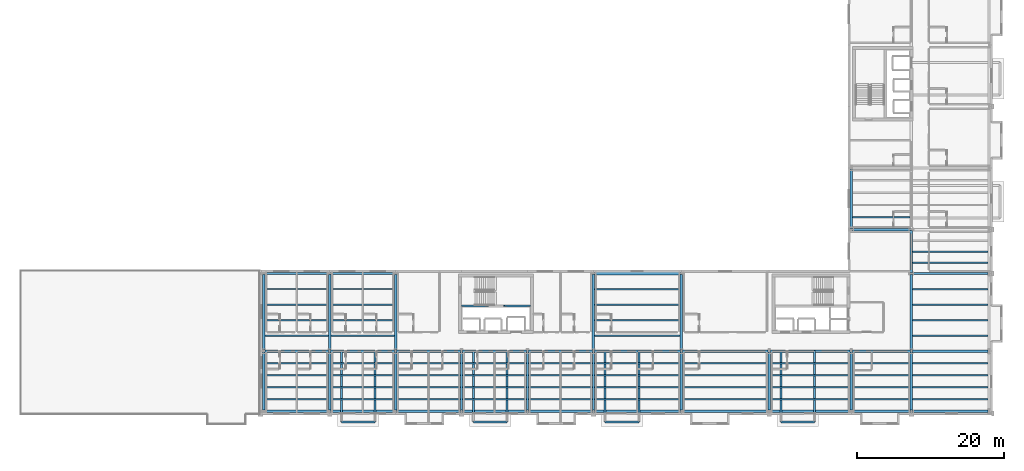
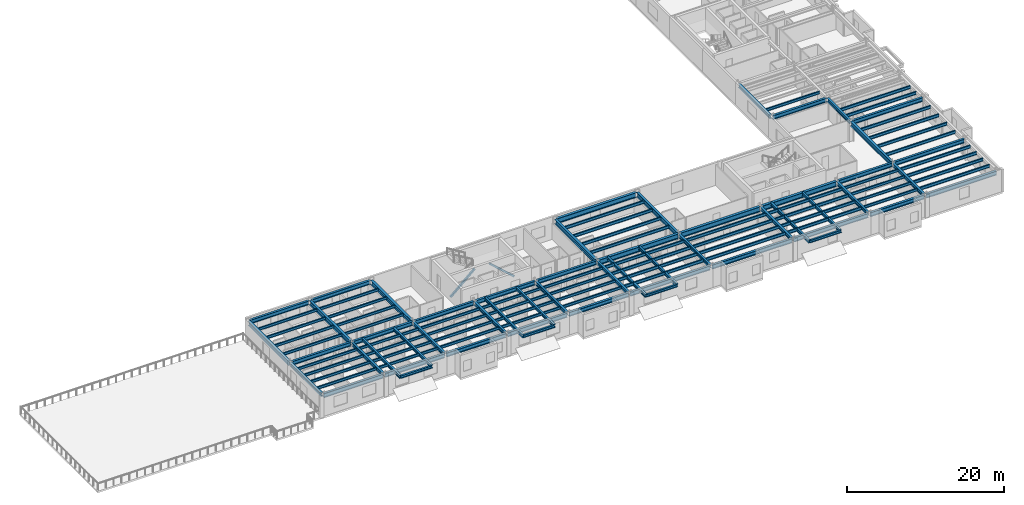
# One storey, part 6 of 23: 114 beams, 2 members.
"""IFC4 building model written with IfcOpenShell, lengths in metres."""

from ifc_helpers import new_model, si_unit, direction, frame, origin, origin_2d, place, context, subcontext, project, spatial, hollow_rectangle, i_section, extrude, material, material_profile, profile_set, type_object, element, save


model = new_model("IFC4")

# Units and contexts
model_context = context("Model", 3, precision=1e-05, world=origin(), true_north=direction((0.0, 1.0)))
body_context = subcontext(model_context, "Body", "Model", "MODEL_VIEW")
ifc_project = project(units=[si_unit("LENGTHUNIT", "METRE"), si_unit("AREAUNIT", "SQUARE_METRE"), si_unit("VOLUMEUNIT", "CUBIC_METRE"), si_unit("PLANEANGLEUNIT", "RADIAN"), si_unit("MASSUNIT", "GRAM", prefix="KILO")], contexts=[model_context])

# Site, building, storey
site_placement = place(None, origin())
site = spatial("IfcSite", under=ifc_project, at=site_placement, CompositionType="ELEMENT")
building_placement = place(site_placement, origin())
building = spatial("IfcBuilding", under=site, at=building_placement, Name="Sollismere Congress Hotel", CompositionType="ELEMENT")
storey_placement = place(building_placement, frame((0.0, 0.0, 30.60009765625)))
storey = spatial("IfcBuildingStorey", under=building, at=storey_placement, Name="L07", CompositionType="ELEMENT", Elevation=30.60009765625)

# Beams
ifc_material_1 = material(Name="Steel ASTM A992 Grade 50", Category="steel")
ifc_material_profile_1 = material_profile(ifc_material_1, i_section(OverallWidth=0.281982421875, OverallDepth=0.471923828125, WebThickness=0.013671875, FlangeThickness=0.022216796875, at=origin_2d()), Name="W18X97")
ifc_profile_set_1 = profile_set([ifc_material_profile_1], Name="Steel ASTM A992 Grade 50")
beam_type_1 = type_object("IfcBeamType", Name="BM-CK18E", PredefinedType="BEAM", material=ifc_profile_set_1)
for number, where, z_axis, x_axis, name in (
    (1, (77.60009765625, 8.199951171875, 2.989013671875), (0.0, -1.0, 0.0), (1.0, 0.0, 0.0), "Beam BM-L07-3995"),
    (2, (82.199951171875, 8.199951171875, 2.989013671875), (0.0, -1.0, 0.0), (1.0, 0.0, 0.0), "Beam BM-L07-3996"),
    (3, (95.60009765625, 8.199951171875, 2.989013671875), (0.0, -1.0, 0.0), (1.0, 0.0, 0.0), "Beam BM-L07-3998"),
    (4, (100.199951171875, 8.199951171875, 2.989013671875), (0.0, -1.0, 0.0), (1.0, 0.0, 0.0), "Beam BM-L07-3999"),
    (5, (113.60009765625, 8.199951171875, 2.989013671875), (0.0, -1.0, 0.0), (1.0, 0.0, 0.0), "Beam BM-L07-4001"),
    (6, (118.199951171875, 8.199951171875, 2.989013671875), (0.0, -1.0, 0.0), (1.0, 0.0, 0.0), "Beam BM-L07-4002"),
    (7, (137.60009765625, 8.199951171875, 2.989013671875), (0.0, -1.0, 0.0), (1.0, 0.0, 0.0), "Beam BM-L07-4004"),
    (8, (142.199951171875, 8.199951171875, 2.989013671875), (0.0, -1.0, 0.0), (1.0, 0.0, 0.0), "Beam BM-L07-4005"),
):
    element("IfcBeam", number, at=place(storey_placement, frame(where, z_axis=z_axis, x_axis=x_axis)), inside=storey, type_object=beam_type_1, Name=name, PredefinedType="BEAM", context=body_context, shape_type="SweptSolid", body=[
        extrude(i_section(OverallWidth=0.281982421875, OverallDepth=0.471923828125, WebThickness=0.013671875, FlangeThickness=0.022216796875, at=origin_2d()), origin(), (0.0, 0.0, 1.0), 9.68994140625),
    ])
ifc_material_profile_2 = material_profile(ifc_material_1, i_section(OverallWidth=0.31494140625, OverallDepth=0.551025390625, WebThickness=0.01513671875, FlangeThickness=0.0244140625, at=origin_2d()), Name="W21X122")
ifc_profile_set_2 = profile_set([ifc_material_profile_2], Name="Steel ASTM A992 Grade 50")
beam_type_2 = type_object("IfcBeamType", Name="BM-G21H", PredefinedType="BEAM", material=ifc_profile_set_2)
for number, where, z_axis, x_axis, name in (
    (9, (67.0, 0.139892578125, 2.949462890625), (0.0, 1.0, 0.0), (-1.0, 0.0, 0.0), "Beam BM-L07-3305"),
    (10, (76.0, 0.139892578125, 2.949462890625), (0.0, 1.0, 0.0), (-1.0, 0.0, 0.0), "Beam BM-L07-3307"),
    (11, (85.0, 0.139892578125, 2.949462890625), (0.0, 1.0, 0.0), (-1.0, 0.0, 0.0), "Beam BM-L07-3309"),
    (12, (94.0, 0.139892578125, 2.949462890625), (0.0, 1.0, 0.0), (-1.0, 0.0, 0.0), "Beam BM-L07-3311"),
    (13, (103.0, 0.139892578125, 2.949462890625), (0.0, 1.0, 0.0), (-1.0, 0.0, 0.0), "Beam BM-L07-3312"),
    (14, (112.0, 0.139892578125, 2.949462890625), (0.0, 1.0, 0.0), (-1.0, 0.0, 0.0), "Beam BM-L07-3313"),
    (15, (124.0, 0.139892578125, 2.949462890625), (0.0, 1.0, 0.0), (-1.0, 0.0, 0.0), "Beam BM-L07-3315"),
    (16, (136.0, 0.139892578125, 2.949462890625), (0.0, 1.0, 0.0), (-1.0, 0.0, 0.0), "Beam BM-L07-3317"),
    (17, (147.199951171875, 0.139892578125, 2.949462890625), (0.0, 1.0, 0.0), (-1.0, 0.0, 0.0), "Beam BM-L07-3318"),
):
    element("IfcBeam", number, at=place(storey_placement, frame(where, z_axis=z_axis, x_axis=x_axis)), inside=storey, type_object=beam_type_2, Name=name, PredefinedType="BEAM", context=body_context, shape_type="SweptSolid", body=[
        extrude(i_section(OverallWidth=0.31494140625, OverallDepth=0.551025390625, WebThickness=0.01513671875, FlangeThickness=0.0244140625, at=origin_2d()), origin(), (0.0, 0.0, 1.0), 7.920166015625),
    ])
beam_1_placement = place(storey_placement, frame((147.199951171875, 24.93994140625, 2.949462890625), z_axis=(0.0, 1.0, 0.0), x_axis=(-1.0, 0.0, 0.0)))
element("IfcBeam", 18, at=beam_1_placement, inside=storey, type_object=beam_type_2, Name="Beam BM-L07-3319", PredefinedType="BEAM", context=body_context, shape_type="SweptSolid", body=[
    extrude(i_section(OverallWidth=0.31494140625, OverallDepth=0.551025390625, WebThickness=0.01513671875, FlangeThickness=0.0244140625, at=origin_2d()), origin(), (0.0, 0.0, 1.0), 8.1201171875),
])
beam_2_placement = place(storey_placement, frame((155.39990234375, 0.139892578125, 2.949462890625), z_axis=(0.0, 1.0, 0.0), x_axis=(-1.0, 0.0, 0.0)))
element("IfcBeam", 19, at=beam_2_placement, inside=storey, type_object=beam_type_2, Name="Beam BM-L07-3321", PredefinedType="BEAM", context=body_context, shape_type="SweptSolid", body=[
    extrude(i_section(OverallWidth=0.31494140625, OverallDepth=0.551025390625, WebThickness=0.01513671875, FlangeThickness=0.0244140625, at=origin_2d()), origin(), (0.0, 0.0, 1.0), 7.920166015625),
])
beam_3_placement = place(storey_placement, frame((155.39990234375, 18.93994140625, 2.949462890625), z_axis=(0.0, 1.0, 0.0), x_axis=(-1.0, 0.0, 0.0)))
element("IfcBeam", 20, at=beam_3_placement, inside=storey, type_object=beam_type_2, Name="Beam BM-L07-3323", PredefinedType="BEAM", context=body_context, shape_type="SweptSolid", body=[
    extrude(i_section(OverallWidth=0.31494140625, OverallDepth=0.551025390625, WebThickness=0.01513671875, FlangeThickness=0.0244140625, at=origin_2d()), origin(), (0.0, 0.0, 1.0), 5.719970703125),
])
ifc_material_profile_3 = material_profile(ifc_material_1, i_section(OverallWidth=0.324951171875, OverallDepth=0.612060546875, WebThickness=0.0126953125, FlangeThickness=0.01904296875, at=origin_2d()), Name="W24X104")
ifc_profile_set_3 = profile_set([ifc_material_profile_3], Name="Steel ASTM A992 Grade 50")
beam_type_3 = type_object("IfcBeamType", Name="BM-G24", PredefinedType="BEAM", material=ifc_profile_set_3)
for number, where, z_axis, x_axis, name in (
    (21, (67.139892578125, 8.199951171875, 2.9189453125), (1.0, 0.0, 0.0), (0.0, 1.0, 0.0), "Beam BM-L07-3283"),
    (22, (76.139892578125, 8.199951171875, 2.9189453125), (1.0, 0.0, 0.0), (0.0, 1.0, 0.0), "Beam BM-L07-3284"),
    (23, (85.139892578125, 8.199951171875, 2.9189453125), (1.0, 0.0, 0.0), (0.0, 1.0, 0.0), "Beam BM-L07-3285"),
    (24, (94.139892578125, 8.199951171875, 2.9189453125), (1.0, 0.0, 0.0), (0.0, 1.0, 0.0), "Beam BM-L07-3286"),
    (25, (103.139892578125, 8.199951171875, 2.9189453125), (1.0, 0.0, 0.0), (0.0, 1.0, 0.0), "Beam BM-L07-3287"),
):
    element("IfcBeam", number, at=place(storey_placement, frame(where, z_axis=z_axis, x_axis=x_axis)), inside=storey, type_object=beam_type_3, Name=name, PredefinedType="BEAM", context=body_context, shape_type="SweptSolid", body=[
        extrude(i_section(OverallWidth=0.324951171875, OverallDepth=0.612060546875, WebThickness=0.0126953125, FlangeThickness=0.01904296875, at=origin_2d()), origin(), (0.0, 0.0, 1.0), 8.72021484375),
    ])
beam_4_placement = place(storey_placement, frame((147.340087890625, 8.199951171875, 2.9189453125), z_axis=(1.0, 0.0, 0.0), x_axis=(0.0, 1.0, 0.0)))
element("IfcBeam", 26, at=beam_4_placement, inside=storey, type_object=beam_type_3, Name="Beam BM-L07-3291", PredefinedType="BEAM", context=body_context, shape_type="SweptSolid", body=[
    extrude(i_section(OverallWidth=0.324951171875, OverallDepth=0.612060546875, WebThickness=0.0126953125, FlangeThickness=0.01904296875, at=origin_2d()), origin(), (0.0, 0.0, 1.0), 7.919921875),
])
beam_5_placement = place(storey_placement, frame((155.5400390625, 8.199951171875, 2.9189453125), z_axis=(1.0, 0.0, 0.0), x_axis=(0.0, 1.0, 0.0)))
element("IfcBeam", 27, at=beam_5_placement, inside=storey, type_object=beam_type_3, Name="Beam BM-L07-3292", PredefinedType="BEAM", context=body_context, shape_type="SweptSolid", body=[
    extrude(i_section(OverallWidth=0.324951171875, OverallDepth=0.612060546875, WebThickness=0.0126953125, FlangeThickness=0.01904296875, at=origin_2d()), origin(), (0.0, 0.0, 1.0), 10.320068359375),
])
for number, where, z_axis, x_axis, name in (
    (28, (67.139892578125, 18.800048828125, 2.9189453125), (1.0, 0.0, 0.0), (0.0, 1.0, 0.0), "Beam BM-L07-3293"),
    (29, (76.139892578125, 18.800048828125, 2.9189453125), (1.0, 0.0, 0.0), (0.0, 1.0, 0.0), "Beam BM-L07-3294"),
):
    element("IfcBeam", number, at=place(storey_placement, frame(where, z_axis=z_axis, x_axis=x_axis)), inside=storey, type_object=beam_type_3, Name=name, PredefinedType="BEAM", context=body_context, shape_type="SweptSolid", body=[
        extrude(i_section(OverallWidth=0.324951171875, OverallDepth=0.612060546875, WebThickness=0.0126953125, FlangeThickness=0.01904296875, at=origin_2d()), origin(), (0.0, 0.0, 1.0), 8.72021484375),
    ])
beam_6_placement = place(storey_placement, frame((155.5400390625, 18.800048828125, 2.9189453125), z_axis=(1.0, 0.0, 0.0), x_axis=(0.0, 1.0, 0.0)))
element("IfcBeam", 30, at=beam_6_placement, inside=storey, type_object=beam_type_3, Name="Beam BM-L07-3296", PredefinedType="BEAM", context=body_context, shape_type="SweptSolid", body=[
    extrude(i_section(OverallWidth=0.324951171875, OverallDepth=0.612060546875, WebThickness=0.0126953125, FlangeThickness=0.01904296875, at=origin_2d()), origin(), (0.0, 0.0, 1.0), 10.320068359375),
])
beam_7_placement = place(storey_placement, frame((147.340087890625, 24.800048828125, 2.9189453125), z_axis=(1.0, 0.0, 0.0), x_axis=(0.0, 1.0, 0.0)))
element("IfcBeam", 31, at=beam_7_placement, inside=storey, type_object=beam_type_3, Name="Beam BM-L07-3297", PredefinedType="BEAM", context=body_context, shape_type="SweptSolid", body=[
    extrude(i_section(OverallWidth=0.324951171875, OverallDepth=0.612060546875, WebThickness=0.0126953125, FlangeThickness=0.01904296875, at=origin_2d()), origin(), (0.0, 0.0, 1.0), 7.919921875),
])
ifc_material_profile_4 = material_profile(ifc_material_1, i_section(OverallWidth=0.35595703125, OverallDepth=0.696044921875, WebThickness=0.015380859375, FlangeThickness=0.025146484375, at=origin_2d()), Name="W27X146")
ifc_profile_set_4 = profile_set([ifc_material_profile_4], Name="Steel ASTM A992 Grade 50")
beam_type_4 = type_object("IfcBeamType", Name="BM-G27", PredefinedType="BEAM", material=ifc_profile_set_4)
for number, where, z_axis, x_axis, name in (
    (32, (67.0, 8.340087890625, 2.876953125), (0.0, 1.0, 0.0), (-1.0, 0.0, 0.0), "Beam BM-L07-3306"),
    (33, (76.0, 8.340087890625, 2.876953125), (0.0, 1.0, 0.0), (-1.0, 0.0, 0.0), "Beam BM-L07-3308"),
    (34, (85.0, 8.340087890625, 2.876953125), (0.0, 1.0, 0.0), (-1.0, 0.0, 0.0), "Beam BM-L07-3310"),
    (35, (112.0, 8.340087890625, 2.876953125), (0.0, 1.0, 0.0), (-1.0, 0.0, 0.0), "Beam BM-L07-3314"),
    (36, (124.0, 8.340087890625, 2.876953125), (0.0, 1.0, 0.0), (-1.0, 0.0, 0.0), "Beam BM-L07-3316"),
    (37, (155.39990234375, 8.340087890625, 2.876953125), (0.0, 1.0, 0.0), (-1.0, 0.0, 0.0), "Beam BM-L07-3322"),
):
    element("IfcBeam", number, at=place(storey_placement, frame(where, z_axis=z_axis, x_axis=x_axis)), inside=storey, type_object=beam_type_4, Name=name, PredefinedType="BEAM", context=body_context, shape_type="SweptSolid", body=[
        extrude(i_section(OverallWidth=0.35595703125, OverallDepth=0.696044921875, WebThickness=0.015380859375, FlangeThickness=0.025146484375, at=origin_2d()), origin(), (0.0, 0.0, 1.0), 10.31982421875),
    ])
ifc_material_profile_5 = material_profile(ifc_material_1, i_section(OverallWidth=0.384033203125, OverallDepth=0.787109375, WebThickness=0.019775390625, FlangeThickness=0.033447265625, at=origin_2d()), Name="W30X211")
ifc_profile_set_5 = profile_set([ifc_material_profile_5], Name="Steel ASTM A992 Grade 50")
beam_type_5 = type_object("IfcBeamType", Name="BM-G30", PredefinedType="BEAM", material=ifc_profile_set_5)
for number, where, z_axis, x_axis, name in (
    (38, (112.139892578125, 8.199951171875, 2.831298828125), (1.0, 0.0, 0.0), (0.0, 1.0, 0.0), "Beam BM-L07-3288"),
    (39, (124.139892578125, 8.199951171875, 2.831298828125), (1.0, 0.0, 0.0), (0.0, 1.0, 0.0), "Beam BM-L07-3289"),
):
    element("IfcBeam", number, at=place(storey_placement, frame(where, z_axis=z_axis, x_axis=x_axis)), inside=storey, type_object=beam_type_5, Name=name, PredefinedType="BEAM", context=body_context, shape_type="SweptSolid", body=[
        extrude(i_section(OverallWidth=0.384033203125, OverallDepth=0.787109375, WebThickness=0.019775390625, FlangeThickness=0.033447265625, at=origin_2d()), origin(), (0.0, 0.0, 1.0), 11.72021484375),
    ])
beam_8_placement = place(storey_placement, frame((136.139892578125, 8.199951171875, 2.831298828125), z_axis=(1.0, 0.0, 0.0), x_axis=(0.0, 1.0, 0.0)))
element("IfcBeam", 40, at=beam_8_placement, inside=storey, type_object=beam_type_5, Name="Beam BM-L07-3290", PredefinedType="BEAM", context=body_context, shape_type="SweptSolid", body=[
    extrude(i_section(OverallWidth=0.384033203125, OverallDepth=0.787109375, WebThickness=0.019775390625, FlangeThickness=0.033447265625, at=origin_2d()), origin(), (0.0, 0.0, 1.0), 10.920166015625),
])
beam_9_placement = place(storey_placement, frame((112.139892578125, 18.800048828125, 2.831298828125), z_axis=(1.0, 0.0, 0.0), x_axis=(0.0, 1.0, 0.0)))
element("IfcBeam", 41, at=beam_9_placement, inside=storey, type_object=beam_type_5, Name="Beam BM-L07-3295", PredefinedType="BEAM", context=body_context, shape_type="SweptSolid", body=[
    extrude(i_section(OverallWidth=0.384033203125, OverallDepth=0.787109375, WebThickness=0.019775390625, FlangeThickness=0.033447265625, at=origin_2d()), origin(), (0.0, 0.0, 1.0), 11.72021484375),
])
ifc_material_profile_6 = material_profile(ifc_material_1, i_section(OverallWidth=0.180908203125, OverallDepth=0.4169921875, WebThickness=0.010986328125, FlangeThickness=0.018310546875, at=origin_2d()), Name="W16X57")
ifc_profile_set_6 = profile_set([ifc_material_profile_6], Name="Steel ASTM A992 Grade 50")
beam_type_6 = type_object("IfcBeamType", Name="BM-J16", PredefinedType="JOIST", material=ifc_profile_set_6)
for number, where, z_axis, x_axis, name in (
    (42, (67.157470703125, 1.639892578125, 3.016357421875), (1.0, 0.0, 0.0), (0.0, 1.0, 0.0), "Beam BM-L07-3334"),
    (43, (67.157470703125, 3.280029296875, 3.016357421875), (1.0, 0.0, 0.0), (0.0, 1.0, 0.0), "Beam BM-L07-3335"),
    (44, (67.157470703125, 4.919921875, 3.016357421875), (1.0, 0.0, 0.0), (0.0, 1.0, 0.0), "Beam BM-L07-3336"),
    (45, (67.157470703125, 6.56005859375, 3.016357421875), (1.0, 0.0, 0.0), (0.0, 1.0, 0.0), "Beam BM-L07-3337"),
):
    element("IfcBeam", number, at=place(storey_placement, frame(where, z_axis=z_axis, x_axis=x_axis)), inside=storey, type_object=beam_type_6, Name=name, PredefinedType="JOIST", context=body_context, shape_type="SweptSolid", body=[
        extrude(i_section(OverallWidth=0.180908203125, OverallDepth=0.4169921875, WebThickness=0.010986328125, FlangeThickness=0.018310546875, at=origin_2d()), origin(), (0.0, 0.0, 1.0), 8.68505859375),
    ])
for number, where, z_axis, x_axis, name in (
    (46, (67.177978515625, 10.320068359375, 3.016357421875), (1.0, 0.0, 0.0), (0.0, 1.0, 0.0), "Beam BM-L07-3338"),
    (47, (67.177978515625, 12.43994140625, 3.016357421875), (1.0, 0.0, 0.0), (0.0, 1.0, 0.0), "Beam BM-L07-3339"),
    (48, (67.177978515625, 14.56005859375, 3.016357421875), (1.0, 0.0, 0.0), (0.0, 1.0, 0.0), "Beam BM-L07-3340"),
    (49, (67.177978515625, 16.679931640625, 3.016357421875), (1.0, 0.0, 0.0), (0.0, 1.0, 0.0), "Beam BM-L07-3341"),
):
    element("IfcBeam", number, at=place(storey_placement, frame(where, z_axis=z_axis, x_axis=x_axis)), inside=storey, type_object=beam_type_6, Name=name, PredefinedType="JOIST", context=body_context, shape_type="SweptSolid", body=[
        extrude(i_section(OverallWidth=0.180908203125, OverallDepth=0.4169921875, WebThickness=0.010986328125, FlangeThickness=0.018310546875, at=origin_2d()), origin(), (0.0, 0.0, 1.0), 8.64404296875),
    ])
for number, where, z_axis, x_axis, name in (
    (50, (76.157470703125, 1.639892578125, 3.016357421875), (1.0, 0.0, 0.0), (0.0, 1.0, 0.0), "Beam BM-L07-3342"),
    (51, (76.157470703125, 3.280029296875, 3.016357421875), (1.0, 0.0, 0.0), (0.0, 1.0, 0.0), "Beam BM-L07-3343"),
    (52, (76.157470703125, 4.919921875, 3.016357421875), (1.0, 0.0, 0.0), (0.0, 1.0, 0.0), "Beam BM-L07-3344"),
    (53, (76.157470703125, 6.56005859375, 3.016357421875), (1.0, 0.0, 0.0), (0.0, 1.0, 0.0), "Beam BM-L07-3345"),
):
    element("IfcBeam", number, at=place(storey_placement, frame(where, z_axis=z_axis, x_axis=x_axis)), inside=storey, type_object=beam_type_6, Name=name, PredefinedType="JOIST", context=body_context, shape_type="SweptSolid", body=[
        extrude(i_section(OverallWidth=0.180908203125, OverallDepth=0.4169921875, WebThickness=0.010986328125, FlangeThickness=0.018310546875, at=origin_2d()), origin(), (0.0, 0.0, 1.0), 8.68505859375),
    ])
for number, where, z_axis, x_axis, name in (
    (54, (76.177978515625, 10.320068359375, 3.016357421875), (1.0, 0.0, 0.0), (0.0, 1.0, 0.0), "Beam BM-L07-3346"),
    (55, (76.177978515625, 12.43994140625, 3.016357421875), (1.0, 0.0, 0.0), (0.0, 1.0, 0.0), "Beam BM-L07-3347"),
    (56, (76.177978515625, 14.56005859375, 3.016357421875), (1.0, 0.0, 0.0), (0.0, 1.0, 0.0), "Beam BM-L07-3348"),
    (57, (76.177978515625, 16.679931640625, 3.016357421875), (1.0, 0.0, 0.0), (0.0, 1.0, 0.0), "Beam BM-L07-3349"),
):
    element("IfcBeam", number, at=place(storey_placement, frame(where, z_axis=z_axis, x_axis=x_axis)), inside=storey, type_object=beam_type_6, Name=name, PredefinedType="JOIST", context=body_context, shape_type="SweptSolid", body=[
        extrude(i_section(OverallWidth=0.180908203125, OverallDepth=0.4169921875, WebThickness=0.010986328125, FlangeThickness=0.018310546875, at=origin_2d()), origin(), (0.0, 0.0, 1.0), 8.64404296875),
    ])
for number, where, z_axis, x_axis, name in (
    (58, (85.157470703125, 1.639892578125, 3.016357421875), (1.0, 0.0, 0.0), (0.0, 1.0, 0.0), "Beam BM-L07-3350"),
    (59, (85.157470703125, 3.280029296875, 3.016357421875), (1.0, 0.0, 0.0), (0.0, 1.0, 0.0), "Beam BM-L07-3351"),
    (60, (85.157470703125, 4.919921875, 3.016357421875), (1.0, 0.0, 0.0), (0.0, 1.0, 0.0), "Beam BM-L07-3352"),
    (61, (85.157470703125, 6.56005859375, 3.016357421875), (1.0, 0.0, 0.0), (0.0, 1.0, 0.0), "Beam BM-L07-3353"),
    (62, (94.157470703125, 1.639892578125, 3.016357421875), (1.0, 0.0, 0.0), (0.0, 1.0, 0.0), "Beam BM-L07-3354"),
    (63, (94.157470703125, 3.280029296875, 3.016357421875), (1.0, 0.0, 0.0), (0.0, 1.0, 0.0), "Beam BM-L07-3355"),
    (64, (94.157470703125, 4.919921875, 3.016357421875), (1.0, 0.0, 0.0), (0.0, 1.0, 0.0), "Beam BM-L07-3356"),
    (65, (94.157470703125, 6.56005859375, 3.016357421875), (1.0, 0.0, 0.0), (0.0, 1.0, 0.0), "Beam BM-L07-3357"),
    (66, (103.157470703125, 1.639892578125, 3.016357421875), (1.0, 0.0, 0.0), (0.0, 1.0, 0.0), "Beam BM-L07-3358"),
    (67, (103.157470703125, 3.280029296875, 3.016357421875), (1.0, 0.0, 0.0), (0.0, 1.0, 0.0), "Beam BM-L07-3359"),
    (68, (103.157470703125, 4.919921875, 3.016357421875), (1.0, 0.0, 0.0), (0.0, 1.0, 0.0), "Beam BM-L07-3360"),
    (69, (103.157470703125, 6.56005859375, 3.016357421875), (1.0, 0.0, 0.0), (0.0, 1.0, 0.0), "Beam BM-L07-3361"),
):
    element("IfcBeam", number, at=place(storey_placement, frame(where, z_axis=z_axis, x_axis=x_axis)), inside=storey, type_object=beam_type_6, Name=name, PredefinedType="JOIST", context=body_context, shape_type="SweptSolid", body=[
        extrude(i_section(OverallWidth=0.180908203125, OverallDepth=0.4169921875, WebThickness=0.010986328125, FlangeThickness=0.018310546875, at=origin_2d()), origin(), (0.0, 0.0, 1.0), 8.68505859375),
    ])
for number, where, z_axis, x_axis, name in (
    (70, (147.357421875, 1.639892578125, 3.016357421875), (1.0, 0.0, 0.0), (0.0, 1.0, 0.0), "Beam BM-L07-3378"),
    (71, (147.357421875, 3.280029296875, 3.016357421875), (1.0, 0.0, 0.0), (0.0, 1.0, 0.0), "Beam BM-L07-3379"),
    (72, (147.357421875, 4.919921875, 3.016357421875), (1.0, 0.0, 0.0), (0.0, 1.0, 0.0), "Beam BM-L07-3380"),
    (73, (147.357421875, 6.56005859375, 3.016357421875), (1.0, 0.0, 0.0), (0.0, 1.0, 0.0), "Beam BM-L07-3381"),
    (74, (147.357421875, 26.47998046875, 3.016357421875), (1.0, 0.0, 0.0), (0.0, 1.0, 0.0), "Beam BM-L07-3382"),
):
    element("IfcBeam", number, at=place(storey_placement, frame(where, z_axis=z_axis, x_axis=x_axis)), inside=storey, type_object=beam_type_6, Name=name, PredefinedType="JOIST", context=body_context, shape_type="SweptSolid", body=[
        extrude(i_section(OverallWidth=0.180908203125, OverallDepth=0.4169921875, WebThickness=0.010986328125, FlangeThickness=0.018310546875, at=origin_2d()), origin(), (0.0, 0.0, 1.0), 7.885009765625),
    ])
ifc_material_profile_7 = material_profile(ifc_material_1, i_section(OverallWidth=0.193115234375, OverallDepth=0.467041015625, WebThickness=0.011474609375, FlangeThickness=0.01904296875, at=origin_2d()), Name="W18X65")
ifc_profile_set_7 = profile_set([ifc_material_profile_7], Name="Steel ASTM A992 Grade 50")
beam_type_7 = type_object("IfcBeamType", Name="BM-J18", PredefinedType="JOIST", material=ifc_profile_set_7)
for number, where, z_axis, x_axis, name in (
    (75, (112.157470703125, 1.639892578125, 2.991455078125), (1.0, 0.0, 0.0), (0.0, 1.0, 0.0), "Beam BM-L07-3362"),
    (76, (112.157470703125, 3.280029296875, 2.991455078125), (1.0, 0.0, 0.0), (0.0, 1.0, 0.0), "Beam BM-L07-3363"),
    (77, (112.157470703125, 4.919921875, 2.991455078125), (1.0, 0.0, 0.0), (0.0, 1.0, 0.0), "Beam BM-L07-3364"),
    (78, (112.157470703125, 6.56005859375, 2.991455078125), (1.0, 0.0, 0.0), (0.0, 1.0, 0.0), "Beam BM-L07-3365"),
):
    element("IfcBeam", number, at=place(storey_placement, frame(where, z_axis=z_axis, x_axis=x_axis)), inside=storey, type_object=beam_type_7, Name=name, PredefinedType="JOIST", context=body_context, shape_type="SweptSolid", body=[
        extrude(i_section(OverallWidth=0.193115234375, OverallDepth=0.467041015625, WebThickness=0.011474609375, FlangeThickness=0.01904296875, at=origin_2d()), origin(), (0.0, 0.0, 1.0), 11.68505859375),
    ])
for number, where, z_axis, x_axis, name in (
    (79, (112.177978515625, 10.320068359375, 2.991455078125), (1.0, 0.0, 0.0), (0.0, 1.0, 0.0), "Beam BM-L07-3366"),
    (80, (112.177978515625, 12.43994140625, 2.991455078125), (1.0, 0.0, 0.0), (0.0, 1.0, 0.0), "Beam BM-L07-3367"),
    (81, (112.177978515625, 14.56005859375, 2.991455078125), (1.0, 0.0, 0.0), (0.0, 1.0, 0.0), "Beam BM-L07-3368"),
    (82, (112.177978515625, 16.679931640625, 2.991455078125), (1.0, 0.0, 0.0), (0.0, 1.0, 0.0), "Beam BM-L07-3369"),
):
    element("IfcBeam", number, at=place(storey_placement, frame(where, z_axis=z_axis, x_axis=x_axis)), inside=storey, type_object=beam_type_7, Name=name, PredefinedType="JOIST", context=body_context, shape_type="SweptSolid", body=[
        extrude(i_section(OverallWidth=0.193115234375, OverallDepth=0.467041015625, WebThickness=0.011474609375, FlangeThickness=0.01904296875, at=origin_2d()), origin(), (0.0, 0.0, 1.0), 11.64404296875),
    ])
for number, where, z_axis, x_axis, name in (
    (83, (124.157470703125, 1.639892578125, 2.991455078125), (1.0, 0.0, 0.0), (0.0, 1.0, 0.0), "Beam BM-L07-3370"),
    (84, (124.157470703125, 3.280029296875, 2.991455078125), (1.0, 0.0, 0.0), (0.0, 1.0, 0.0), "Beam BM-L07-3371"),
    (85, (124.157470703125, 4.919921875, 2.991455078125), (1.0, 0.0, 0.0), (0.0, 1.0, 0.0), "Beam BM-L07-3372"),
    (86, (124.157470703125, 6.56005859375, 2.991455078125), (1.0, 0.0, 0.0), (0.0, 1.0, 0.0), "Beam BM-L07-3373"),
):
    element("IfcBeam", number, at=place(storey_placement, frame(where, z_axis=z_axis, x_axis=x_axis)), inside=storey, type_object=beam_type_7, Name=name, PredefinedType="JOIST", context=body_context, shape_type="SweptSolid", body=[
        extrude(i_section(OverallWidth=0.193115234375, OverallDepth=0.467041015625, WebThickness=0.011474609375, FlangeThickness=0.01904296875, at=origin_2d()), origin(), (0.0, 0.0, 1.0), 11.68505859375),
    ])
for number, where, z_axis, x_axis, name in (
    (87, (136.157470703125, 1.639892578125, 2.991455078125), (1.0, 0.0, 0.0), (0.0, 1.0, 0.0), "Beam BM-L07-3374"),
    (88, (136.157470703125, 3.280029296875, 2.991455078125), (1.0, 0.0, 0.0), (0.0, 1.0, 0.0), "Beam BM-L07-3375"),
    (89, (136.157470703125, 4.919921875, 2.991455078125), (1.0, 0.0, 0.0), (0.0, 1.0, 0.0), "Beam BM-L07-3376"),
    (90, (136.157470703125, 6.56005859375, 2.991455078125), (1.0, 0.0, 0.0), (0.0, 1.0, 0.0), "Beam BM-L07-3377"),
):
    element("IfcBeam", number, at=place(storey_placement, frame(where, z_axis=z_axis, x_axis=x_axis)), inside=storey, type_object=beam_type_7, Name=name, PredefinedType="JOIST", context=body_context, shape_type="SweptSolid", body=[
        extrude(i_section(OverallWidth=0.193115234375, OverallDepth=0.467041015625, WebThickness=0.011474609375, FlangeThickness=0.01904296875, at=origin_2d()), origin(), (0.0, 0.0, 1.0), 10.885009765625),
    ])
for number, where, z_axis, x_axis, name in (
    (91, (155.5576171875, 1.639892578125, 2.991455078125), (1.0, 0.0, 0.0), (0.0, 1.0, 0.0), "Beam BM-L07-3390"),
    (92, (155.5576171875, 3.280029296875, 2.991455078125), (1.0, 0.0, 0.0), (0.0, 1.0, 0.0), "Beam BM-L07-3391"),
    (93, (155.5576171875, 4.919921875, 2.991455078125), (1.0, 0.0, 0.0), (0.0, 1.0, 0.0), "Beam BM-L07-3392"),
    (94, (155.5576171875, 6.56005859375, 2.991455078125), (1.0, 0.0, 0.0), (0.0, 1.0, 0.0), "Beam BM-L07-3393"),
):
    element("IfcBeam", number, at=place(storey_placement, frame(where, z_axis=z_axis, x_axis=x_axis)), inside=storey, type_object=beam_type_7, Name=name, PredefinedType="JOIST", context=body_context, shape_type="SweptSolid", body=[
        extrude(i_section(OverallWidth=0.193115234375, OverallDepth=0.467041015625, WebThickness=0.011474609375, FlangeThickness=0.01904296875, at=origin_2d()), origin(), (0.0, 0.0, 1.0), 10.27734375),
    ])
for number, where, z_axis, x_axis, name in (
    (95, (155.577880859375, 10.320068359375, 2.991455078125), (1.0, 0.0, 0.0), (0.0, 1.0, 0.0), "Beam BM-L07-3394"),
    (96, (155.577880859375, 12.43994140625, 2.991455078125), (1.0, 0.0, 0.0), (0.0, 1.0, 0.0), "Beam BM-L07-3395"),
    (97, (155.577880859375, 14.56005859375, 2.991455078125), (1.0, 0.0, 0.0), (0.0, 1.0, 0.0), "Beam BM-L07-3396"),
    (98, (155.577880859375, 16.679931640625, 2.991455078125), (1.0, 0.0, 0.0), (0.0, 1.0, 0.0), "Beam BM-L07-3397"),
):
    element("IfcBeam", number, at=place(storey_placement, frame(where, z_axis=z_axis, x_axis=x_axis)), inside=storey, type_object=beam_type_7, Name=name, PredefinedType="JOIST", context=body_context, shape_type="SweptSolid", body=[
        extrude(i_section(OverallWidth=0.193115234375, OverallDepth=0.467041015625, WebThickness=0.011474609375, FlangeThickness=0.01904296875, at=origin_2d()), origin(), (0.0, 0.0, 1.0), 10.257080078125),
    ])
for number, where, z_axis, x_axis, name in (
    (99, (155.5576171875, 20.300048828125, 2.991455078125), (1.0, 0.0, 0.0), (0.0, 1.0, 0.0), "Beam BM-L07-3398"),
    (100, (155.5576171875, 21.800048828125, 2.991455078125), (1.0, 0.0, 0.0), (0.0, 1.0, 0.0), "Beam BM-L07-3399"),
):
    element("IfcBeam", number, at=place(storey_placement, frame(where, z_axis=z_axis, x_axis=x_axis)), inside=storey, type_object=beam_type_7, Name=name, PredefinedType="JOIST", context=body_context, shape_type="SweptSolid", body=[
        extrude(i_section(OverallWidth=0.193115234375, OverallDepth=0.467041015625, WebThickness=0.011474609375, FlangeThickness=0.01904296875, at=origin_2d()), origin(), (0.0, 0.0, 1.0), 10.27734375),
    ])
ifc_material_profile_8 = material_profile(ifc_material_1, i_section(OverallWidth=0.261962890625, OverallDepth=0.4189453125, WebThickness=0.01171875, FlangeThickness=0.019287109375, at=origin_2d()), Name="W16X77")
ifc_profile_set_8 = profile_set([ifc_material_profile_8], Name="Steel ASTM A992 Grade 50")
beam_type_8 = type_object("IfcBeamType", Name="BM-LN16E", PredefinedType="LINTEL", material=ifc_profile_set_8)
for number, where, z_axis, x_axis, name in (
    (101, (77.60009765625, -1.489990234375, 3.015380859375), (1.0, 0.0, 0.0), (0.0, 1.0, 0.0), "Beam BM-L07-3997"),
    (102, (95.60009765625, -1.489990234375, 3.015380859375), (1.0, 0.0, 0.0), (0.0, 1.0, 0.0), "Beam BM-L07-4000"),
    (103, (113.60009765625, -1.489990234375, 3.015380859375), (1.0, 0.0, 0.0), (0.0, 1.0, 0.0), "Beam BM-L07-4003"),
    (104, (137.60009765625, -1.489990234375, 3.015380859375), (1.0, 0.0, 0.0), (0.0, 1.0, 0.0), "Beam BM-L07-4006"),
):
    element("IfcBeam", number, at=place(storey_placement, frame(where, z_axis=z_axis, x_axis=x_axis)), inside=storey, type_object=beam_type_8, Name=name, PredefinedType="LINTEL", context=body_context, shape_type="SweptSolid", body=[
        extrude(i_section(OverallWidth=0.261962890625, OverallDepth=0.4189453125, WebThickness=0.01171875, FlangeThickness=0.019287109375, at=origin_2d()), origin(), (0.0, 0.0, 1.0), 4.599853515625),
    ])
ifc_material_profile_9 = material_profile(ifc_material_1, i_section(OverallWidth=0.330078125, OverallDepth=0.635009765625, WebThickness=0.017822265625, FlangeThickness=0.031005859375, at=origin_2d()), Name="W24X162")
ifc_profile_set_9 = profile_set([ifc_material_profile_9], Name="Steel ASTM A992 Grade 50")
beam_type_9 = type_object("IfcBeamType", Name="BM-SP24E", PredefinedType="SPANDREL", material=ifc_profile_set_9)
for number, where, z_axis, x_axis, name in (
    (105, (67.139892578125, 0.0, 2.907470703125), (1.0, 0.0, 0.0), (0.0, 1.0, 0.0), "Beam BM-L07-3273"),
    (106, (76.139892578125, 0.0, 2.907470703125), (1.0, 0.0, 0.0), (0.0, 1.0, 0.0), "Beam BM-L07-3274"),
    (107, (85.139892578125, 0.0, 2.907470703125), (1.0, 0.0, 0.0), (0.0, 1.0, 0.0), "Beam BM-L07-3275"),
    (108, (94.139892578125, 0.0, 2.907470703125), (1.0, 0.0, 0.0), (0.0, 1.0, 0.0), "Beam BM-L07-3276"),
    (109, (103.139892578125, 0.0, 2.907470703125), (1.0, 0.0, 0.0), (0.0, 1.0, 0.0), "Beam BM-L07-3277"),
):
    element("IfcBeam", number, at=place(storey_placement, frame(where, z_axis=z_axis, x_axis=x_axis)), inside=storey, type_object=beam_type_9, Name=name, PredefinedType="SPANDREL", context=body_context, shape_type="SweptSolid", body=[
        extrude(i_section(OverallWidth=0.330078125, OverallDepth=0.635009765625, WebThickness=0.017822265625, FlangeThickness=0.031005859375, at=origin_2d()), origin(), (0.0, 0.0, 1.0), 8.72021484375),
    ])
for number, where, z_axis, x_axis, name in (
    (110, (112.139892578125, 0.0, 2.907470703125), (1.0, 0.0, 0.0), (0.0, 1.0, 0.0), "Beam BM-L07-3278"),
    (111, (124.139892578125, 0.0, 2.907470703125), (1.0, 0.0, 0.0), (0.0, 1.0, 0.0), "Beam BM-L07-3279"),
):
    element("IfcBeam", number, at=place(storey_placement, frame(where, z_axis=z_axis, x_axis=x_axis)), inside=storey, type_object=beam_type_9, Name=name, PredefinedType="SPANDREL", context=body_context, shape_type="SweptSolid", body=[
        extrude(i_section(OverallWidth=0.330078125, OverallDepth=0.635009765625, WebThickness=0.017822265625, FlangeThickness=0.031005859375, at=origin_2d()), origin(), (0.0, 0.0, 1.0), 11.72021484375),
    ])
beam_10_placement = place(storey_placement, frame((136.139892578125, 0.0, 2.907470703125), z_axis=(1.0, 0.0, 0.0), x_axis=(0.0, 1.0, 0.0)))
element("IfcBeam", 112, at=beam_10_placement, inside=storey, type_object=beam_type_9, Name="Beam BM-L07-3280", PredefinedType="SPANDREL", context=body_context, shape_type="SweptSolid", body=[
    extrude(i_section(OverallWidth=0.330078125, OverallDepth=0.635009765625, WebThickness=0.017822265625, FlangeThickness=0.031005859375, at=origin_2d()), origin(), (0.0, 0.0, 1.0), 10.920166015625),
])
beam_11_placement = place(storey_placement, frame((147.340087890625, 0.0, 2.907470703125), z_axis=(1.0, 0.0, 0.0), x_axis=(0.0, 1.0, 0.0)))
element("IfcBeam", 113, at=beam_11_placement, inside=storey, type_object=beam_type_9, Name="Beam BM-L07-3281", PredefinedType="SPANDREL", context=body_context, shape_type="SweptSolid", body=[
    extrude(i_section(OverallWidth=0.330078125, OverallDepth=0.635009765625, WebThickness=0.017822265625, FlangeThickness=0.031005859375, at=origin_2d()), origin(), (0.0, 0.0, 1.0), 7.919921875),
])
beam_12_placement = place(storey_placement, frame((155.5400390625, 0.0, 2.907470703125), z_axis=(1.0, 0.0, 0.0), x_axis=(0.0, 1.0, 0.0)))
element("IfcBeam", 114, at=beam_12_placement, inside=storey, type_object=beam_type_9, Name="Beam BM-L07-3282", PredefinedType="SPANDREL", context=body_context, shape_type="SweptSolid", body=[
    extrude(i_section(OverallWidth=0.330078125, OverallDepth=0.635009765625, WebThickness=0.017822265625, FlangeThickness=0.031005859375, at=origin_2d()), origin(), (0.0, 0.0, 1.0), 10.320068359375),
])

# Members
ifc_material_2 = material(Name="Steel ASTM A500 Grade C", Category="steel")
ifc_material_profile_10 = material_profile(ifc_material_2, hollow_rectangle(XDim=0.25, YDim=0.25, WallThickness=0.010009765625, at=origin_2d()), Name="HSS250X250X10")
ifc_profile_set_10 = profile_set([ifc_material_profile_10], Name="Steel ASTM A500 Grade C")
member_type = type_object("IfcMemberType", Name="MB-BR250", PredefinedType="BRACE", material=ifc_profile_set_10)
for number, where, z_axis, x_axis, name in (
    (115, (94.050048828125, 14.35009765625, 0.02001953125), (0.744359715586, 0.0, 0.667778865953), (0.0, 1.0, 0.0), "BF-015 diagonal brace"),
    (116, (103.35009765625, 14.35009765625, 0.02001953125), (-0.744359715586, 0.0, 0.667778865953), (0.0, -1.0, 0.0), "BF-016 diagonal brace"),
):
    element("IfcMember", number, at=place(storey_placement, frame(where, z_axis=z_axis, x_axis=x_axis)), inside=storey, type_object=member_type, Name=name, PredefinedType="BRACE", context=body_context, shape_type="SweptSolid", body=[
        extrude(hollow_rectangle(XDim=0.25, YDim=0.25, WallThickness=0.010009765625, at=origin_2d()), origin(), (0.0, 0.0, 1.0), 4.769287109375),
    ])

save(model, "model.ifc")
